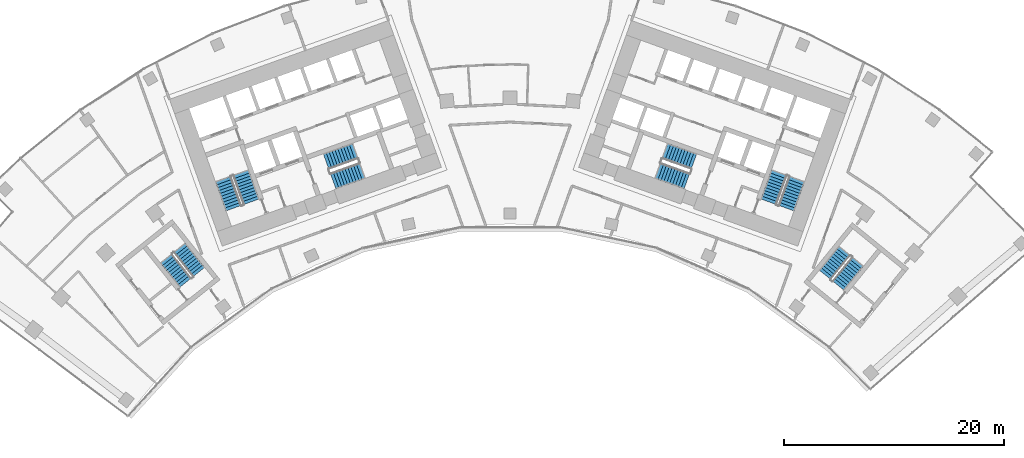
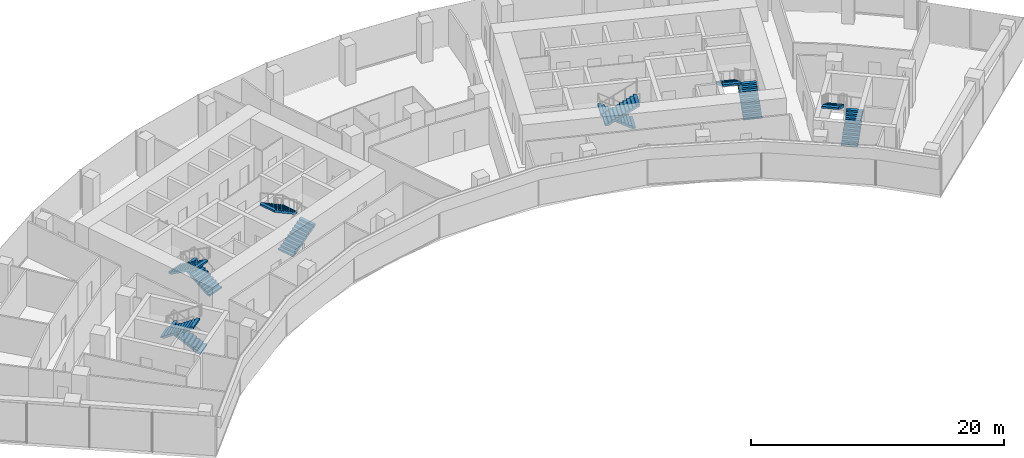
# One storey, part 18 of 20: 12 stair flights, 6 elements without a shape of their own.
"""IFC4 building model written with IfcOpenShell, lengths in metres."""

from ifc_helpers import new_model, si_unit, direction, frame, origin, place, context, subcontext, project, spatial, polyline, outline, extrude, material, type_object, element, aggregate, save


model = new_model("IFC4")

# Units and contexts
model_context = context("Model", 3, precision=1e-05, world=origin(), true_north=direction((0.0, 1.0)))
body_context = subcontext(model_context, "Body", "Model", "MODEL_VIEW")
ifc_project = project(units=[si_unit("LENGTHUNIT", "METRE"), si_unit("AREAUNIT", "SQUARE_METRE"), si_unit("VOLUMEUNIT", "CUBIC_METRE"), si_unit("PLANEANGLEUNIT", "RADIAN"), si_unit("MASSUNIT", "GRAM", prefix="KILO")], contexts=[model_context])

# Site, building, storey
site_placement = place(None, origin())
site = spatial("IfcSite", under=ifc_project, at=site_placement, CompositionType="ELEMENT")
building_placement = place(site_placement, origin())
building = spatial("IfcBuilding", under=site, at=building_placement, Name="Stone Belt Terrace Tower", CompositionType="ELEMENT")
storey_placement = place(building_placement, frame((0.0, 0.0, 174.39990234375)))
storey = spatial("IfcBuildingStorey", under=building, at=storey_placement, Name="L42", CompositionType="ELEMENT", Elevation=174.39990234375)

# Stair, stair flights
ifc_material = material(Name="Concrete B40", Category="concrete")
stair_type = type_object("IfcStairType", Name="Exit stair 1500", PredefinedType="HALF_TURN_STAIR", material=ifc_material)
stair_1_placement = place(storey_placement, origin())
stair_1 = element("IfcStair", 1, at=stair_1_placement, inside=storey, type_object=stair_type, Name="L42 Exit stair 1 core A", PredefinedType="HALF_TURN_STAIR")
stair_flight_type = type_object("IfcStairFlightType", Name="Stair flight 1500", PredefinedType="STRAIGHT", material=ifc_material)
stair_flight_1_placement = place(storey_placement, frame((-23.55322265625, 45.51318359375, 0.0), z_axis=(0.0, 0.0, 1.0), x_axis=(-0.338624396177, 0.940921632398, 0.0)))
stair_flight_1 = element("IfcStairFlight", 2, at=stair_flight_1_placement, type_object=stair_flight_type, Name="ST1A flight 1", NumberOfRisers=11, NumberOfTreads=10, PredefinedType="STRAIGHT", RiserHeight=0.172727273, TreadLength=0.28, context=body_context, shape_type="SweptSolid", body=[
    extrude(outline(polyline([(0.0, 0.0), (0.0, 0.172607421875), (0.280029296875, 0.172607421875), (0.280029296875, 0.345458984375), (0.56005859375, 0.345458984375), (0.56005859375, 0.51806640625), (0.840087890625, 0.51806640625), (0.840087890625, 0.69091796875), (1.1201171875, 0.69091796875), (1.1201171875, 0.863525390625), (1.39990234375, 0.863525390625), (1.39990234375, 1.036376953125), (1.679931640625, 1.036376953125), (1.679931640625, 1.208984375), (1.9599609375, 1.208984375), (1.9599609375, 1.3818359375), (2.239990234375, 1.3818359375), (2.239990234375, 1.554443359375), (2.52001953125, 1.554443359375), (2.52001953125, 1.727294921875), (2.800048828125, 1.727294921875), (2.800048828125, 1.89990234375), (2.800048828125, 1.551025390625), (0.285400390625, 0.0), (0.0, 0.0)])), frame((0.0, 0.75, 0.0), z_axis=(0.0, -1.0, 0.0), x_axis=(1.0, 0.0, 0.0)), (0.0, 0.0, 1.0), 1.5),
])
stair_flight_2_placement = place(storey_placement, frame((-26.10107421875, 47.572021484375, 1.900146484375), z_axis=(0.0, 0.0, 1.0), x_axis=(0.338624396177, -0.940921632398, 0.0)))
stair_flight_2 = element("IfcStairFlight", 3, at=stair_flight_2_placement, type_object=stair_flight_type, Name="ST1A flight 2", NumberOfRisers=11, NumberOfTreads=10, PredefinedType="STRAIGHT", RiserHeight=0.172727273, TreadLength=0.28, context=body_context, shape_type="SweptSolid", body=[
    extrude(outline(polyline([(0.0, 0.0), (0.0, 0.172607421875), (0.280029296875, 0.172607421875), (0.280029296875, 0.345458984375), (0.56005859375, 0.345458984375), (0.56005859375, 0.51806640625), (0.840087890625, 0.51806640625), (0.840087890625, 0.69091796875), (1.1201171875, 0.69091796875), (1.1201171875, 0.863525390625), (1.39990234375, 0.863525390625), (1.39990234375, 1.036376953125), (1.679931640625, 1.036376953125), (1.679931640625, 1.208984375), (1.9599609375, 1.208984375), (1.9599609375, 1.3818359375), (2.239990234375, 1.3818359375), (2.239990234375, 1.554443359375), (2.52001953125, 1.554443359375), (2.52001953125, 1.727294921875), (2.800048828125, 1.727294921875), (2.800048828125, 1.89990234375), (2.800048828125, 1.551025390625), (0.285400390625, 0.0), (0.0, 0.0)])), frame((0.0, 0.75, 0.0), z_axis=(0.0, -1.0, 0.0), x_axis=(1.0, 0.0, 0.0)), (0.0, 0.0, 1.0), 1.5),
])
aggregate(stair_1, [stair_flight_1, stair_flight_2])

stair_2_placement = place(storey_placement, origin())
stair_2 = element("IfcStair", 4, at=stair_2_placement, inside=storey, type_object=stair_type, Name="L42 Exit stair 2 core A", PredefinedType="HALF_TURN_STAIR")
stair_flight_3_placement = place(storey_placement, frame((-16.101318359375, 47.39794921875, 0.0), z_axis=(0.0, 0.0, 1.0), x_axis=(0.940921632398, 0.338624396177, 0.0)))
stair_flight_3 = element("IfcStairFlight", 5, at=stair_flight_3_placement, type_object=stair_flight_type, Name="ST2A flight 1", NumberOfRisers=11, NumberOfTreads=10, PredefinedType="STRAIGHT", RiserHeight=0.172727273, TreadLength=0.28, context=body_context, shape_type="SweptSolid", body=[
    extrude(outline(polyline([(0.0, 0.0), (0.0, 0.172607421875), (0.280029296875, 0.172607421875), (0.280029296875, 0.345458984375), (0.56005859375, 0.345458984375), (0.56005859375, 0.51806640625), (0.840087890625, 0.51806640625), (0.840087890625, 0.69091796875), (1.1201171875, 0.69091796875), (1.1201171875, 0.863525390625), (1.39990234375, 0.863525390625), (1.39990234375, 1.036376953125), (1.679931640625, 1.036376953125), (1.679931640625, 1.208984375), (1.9599609375, 1.208984375), (1.9599609375, 1.3818359375), (2.239990234375, 1.3818359375), (2.239990234375, 1.554443359375), (2.52001953125, 1.554443359375), (2.52001953125, 1.727294921875), (2.800048828125, 1.727294921875), (2.800048828125, 1.89990234375), (2.800048828125, 1.551025390625), (0.285400390625, 0.0), (0.0, 0.0)])), frame((0.0, 0.75, 0.0), z_axis=(0.0, -1.0, 0.0), x_axis=(1.0, 0.0, 0.0)), (0.0, 0.0, 1.0), 1.5),
])
stair_flight_4_placement = place(storey_placement, frame((-14.110107421875, 50.1337890625, 1.900146484375), z_axis=(0.0, 0.0, 1.0), x_axis=(-0.940921632398, -0.338624396177, 0.0)))
stair_flight_4 = element("IfcStairFlight", 6, at=stair_flight_4_placement, type_object=stair_flight_type, Name="ST2A flight 2", NumberOfRisers=11, NumberOfTreads=10, PredefinedType="STRAIGHT", RiserHeight=0.172727273, TreadLength=0.28, context=body_context, shape_type="SweptSolid", body=[
    extrude(outline(polyline([(0.0, 0.0), (0.0, 0.172607421875), (0.280029296875, 0.172607421875), (0.280029296875, 0.345458984375), (0.56005859375, 0.345458984375), (0.56005859375, 0.51806640625), (0.840087890625, 0.51806640625), (0.840087890625, 0.69091796875), (1.1201171875, 0.69091796875), (1.1201171875, 0.863525390625), (1.39990234375, 0.863525390625), (1.39990234375, 1.036376953125), (1.679931640625, 1.036376953125), (1.679931640625, 1.208984375), (1.9599609375, 1.208984375), (1.9599609375, 1.3818359375), (2.239990234375, 1.3818359375), (2.239990234375, 1.554443359375), (2.52001953125, 1.554443359375), (2.52001953125, 1.727294921875), (2.800048828125, 1.727294921875), (2.800048828125, 1.89990234375), (2.800048828125, 1.551025390625), (0.285400390625, 0.0), (0.0, 0.0)])), frame((0.0, 0.75, 0.0), z_axis=(0.0, -1.0, 0.0), x_axis=(1.0, 0.0, 0.0)), (0.0, 0.0, 1.0), 1.5),
])
aggregate(stair_2, [stair_flight_3, stair_flight_4])

stair_3_placement = place(storey_placement, origin())
stair_3 = element("IfcStair", 7, at=stair_3_placement, inside=storey, type_object=stair_type, Name="L42 Exit stair 1 core B", PredefinedType="HALF_TURN_STAIR")
stair_flight_5_placement = place(storey_placement, frame((25.15283203125, 44.9375, 0.0), z_axis=(0.0, 0.0, 1.0), x_axis=(0.338624396177, 0.940921632398, 0.0)))
stair_flight_5 = element("IfcStairFlight", 8, at=stair_flight_5_placement, type_object=stair_flight_type, Name="ST1B flight 1", NumberOfRisers=11, NumberOfTreads=10, PredefinedType="STRAIGHT", RiserHeight=0.172727273, TreadLength=0.28, context=body_context, shape_type="SweptSolid", body=[
    extrude(outline(polyline([(0.0, 0.0), (0.0, 0.172607421875), (0.280029296875, 0.172607421875), (0.280029296875, 0.345458984375), (0.56005859375, 0.345458984375), (0.56005859375, 0.51806640625), (0.840087890625, 0.51806640625), (0.840087890625, 0.69091796875), (1.1201171875, 0.69091796875), (1.1201171875, 0.863525390625), (1.39990234375, 0.863525390625), (1.39990234375, 1.036376953125), (1.679931640625, 1.036376953125), (1.679931640625, 1.208984375), (1.9599609375, 1.208984375), (1.9599609375, 1.3818359375), (2.239990234375, 1.3818359375), (2.239990234375, 1.554443359375), (2.52001953125, 1.554443359375), (2.52001953125, 1.727294921875), (2.800048828125, 1.727294921875), (2.800048828125, 1.89990234375), (2.800048828125, 1.551025390625), (0.285400390625, 0.0), (0.0, 0.0)])), frame((0.0, 0.75, 0.0), z_axis=(0.0, -1.0, 0.0), x_axis=(1.0, 0.0, 0.0)), (0.0, 0.0, 1.0), 1.5),
])
stair_flight_6_placement = place(storey_placement, frame((24.50146484375, 48.147705078125, 1.900146484375), z_axis=(0.0, 0.0, 1.0), x_axis=(-0.338624396177, -0.940921632398, 0.0)))
stair_flight_6 = element("IfcStairFlight", 9, at=stair_flight_6_placement, type_object=stair_flight_type, Name="ST1B flight 2", NumberOfRisers=11, NumberOfTreads=10, PredefinedType="STRAIGHT", RiserHeight=0.172727273, TreadLength=0.28, context=body_context, shape_type="SweptSolid", body=[
    extrude(outline(polyline([(0.0, 0.0), (0.0, 0.172607421875), (0.280029296875, 0.172607421875), (0.280029296875, 0.345458984375), (0.56005859375, 0.345458984375), (0.56005859375, 0.51806640625), (0.840087890625, 0.51806640625), (0.840087890625, 0.69091796875), (1.1201171875, 0.69091796875), (1.1201171875, 0.863525390625), (1.39990234375, 0.863525390625), (1.39990234375, 1.036376953125), (1.679931640625, 1.036376953125), (1.679931640625, 1.208984375), (1.9599609375, 1.208984375), (1.9599609375, 1.3818359375), (2.239990234375, 1.3818359375), (2.239990234375, 1.554443359375), (2.52001953125, 1.554443359375), (2.52001953125, 1.727294921875), (2.800048828125, 1.727294921875), (2.800048828125, 1.89990234375), (2.800048828125, 1.551025390625), (0.285400390625, 0.0), (0.0, 0.0)])), frame((0.0, 0.75, 0.0), z_axis=(0.0, -1.0, 0.0), x_axis=(1.0, 0.0, 0.0)), (0.0, 0.0, 1.0), 1.5),
])
aggregate(stair_3, [stair_flight_5, stair_flight_6])

stair_4_placement = place(storey_placement, origin())
stair_4 = element("IfcStair", 10, at=stair_4_placement, inside=storey, type_object=stair_type, Name="L42 Exit stair 2 core B", PredefinedType="HALF_TURN_STAIR")
stair_flight_7_placement = place(storey_placement, frame((16.74462890625, 49.185546875, 0.0), z_axis=(0.0, 0.0, 1.0), x_axis=(-0.940921632398, 0.338624396177, 0.0)))
stair_flight_7 = element("IfcStairFlight", 11, at=stair_flight_7_placement, type_object=stair_flight_type, Name="ST2B flight 1", NumberOfRisers=11, NumberOfTreads=10, PredefinedType="STRAIGHT", RiserHeight=0.172727273, TreadLength=0.28, context=body_context, shape_type="SweptSolid", body=[
    extrude(outline(polyline([(0.0, 0.0), (0.0, 0.172607421875), (0.280029296875, 0.172607421875), (0.280029296875, 0.345458984375), (0.56005859375, 0.345458984375), (0.56005859375, 0.51806640625), (0.840087890625, 0.51806640625), (0.840087890625, 0.69091796875), (1.1201171875, 0.69091796875), (1.1201171875, 0.863525390625), (1.39990234375, 0.863525390625), (1.39990234375, 1.036376953125), (1.679931640625, 1.036376953125), (1.679931640625, 1.208984375), (1.9599609375, 1.208984375), (1.9599609375, 1.3818359375), (2.239990234375, 1.3818359375), (2.239990234375, 1.554443359375), (2.52001953125, 1.554443359375), (2.52001953125, 1.727294921875), (2.800048828125, 1.727294921875), (2.800048828125, 1.89990234375), (2.800048828125, 1.551025390625), (0.285400390625, 0.0), (0.0, 0.0)])), frame((0.0, 0.75, 0.0), z_axis=(0.0, -1.0, 0.0), x_axis=(1.0, 0.0, 0.0)), (0.0, 0.0, 1.0), 1.5),
])
stair_flight_8_placement = place(storey_placement, frame((13.466796875, 48.345947265625, 1.900146484375), z_axis=(0.0, 0.0, 1.0), x_axis=(0.940921632398, -0.338624396177, 0.0)))
stair_flight_8 = element("IfcStairFlight", 12, at=stair_flight_8_placement, type_object=stair_flight_type, Name="ST2B flight 2", NumberOfRisers=11, NumberOfTreads=10, PredefinedType="STRAIGHT", RiserHeight=0.172727273, TreadLength=0.28, context=body_context, shape_type="SweptSolid", body=[
    extrude(outline(polyline([(0.0, 0.0), (0.0, 0.172607421875), (0.280029296875, 0.172607421875), (0.280029296875, 0.345458984375), (0.56005859375, 0.345458984375), (0.56005859375, 0.51806640625), (0.840087890625, 0.51806640625), (0.840087890625, 0.69091796875), (1.1201171875, 0.69091796875), (1.1201171875, 0.863525390625), (1.39990234375, 0.863525390625), (1.39990234375, 1.036376953125), (1.679931640625, 1.036376953125), (1.679931640625, 1.208984375), (1.9599609375, 1.208984375), (1.9599609375, 1.3818359375), (2.239990234375, 1.3818359375), (2.239990234375, 1.554443359375), (2.52001953125, 1.554443359375), (2.52001953125, 1.727294921875), (2.800048828125, 1.727294921875), (2.800048828125, 1.89990234375), (2.800048828125, 1.551025390625), (0.285400390625, 0.0), (0.0, 0.0)])), frame((0.0, 0.75, 0.0), z_axis=(0.0, -1.0, 0.0), x_axis=(1.0, 0.0, 0.0)), (0.0, 0.0, 1.0), 1.5),
])
aggregate(stair_4, [stair_flight_7, stair_flight_8])

stair_5_placement = place(storey_placement, origin())
stair_5 = element("IfcStair", 13, at=stair_5_placement, inside=storey, type_object=stair_type, Name="L42 Exit stair 3A", PredefinedType="HALF_TURN_STAIR")
stair_flight_9_placement = place(storey_placement, frame((-28.325439453125, 39.1240234375, 0.0), z_axis=(0.0, 0.0, 1.0), x_axis=(-0.623121363691, 0.782125160132, 0.0)))
stair_flight_9 = element("IfcStairFlight", 14, at=stair_flight_9_placement, type_object=stair_flight_type, Name="ST3A flight 1", NumberOfRisers=11, NumberOfTreads=10, PredefinedType="STRAIGHT", RiserHeight=0.172727273, TreadLength=0.28, context=body_context, shape_type="SweptSolid", body=[
    extrude(outline(polyline([(0.0, 0.0), (0.0, 0.172607421875), (0.280029296875, 0.172607421875), (0.280029296875, 0.345458984375), (0.56005859375, 0.345458984375), (0.56005859375, 0.51806640625), (0.840087890625, 0.51806640625), (0.840087890625, 0.69091796875), (1.1201171875, 0.69091796875), (1.1201171875, 0.863525390625), (1.39990234375, 0.863525390625), (1.39990234375, 1.036376953125), (1.679931640625, 1.036376953125), (1.679931640625, 1.208984375), (1.9599609375, 1.208984375), (1.9599609375, 1.3818359375), (2.239990234375, 1.3818359375), (2.239990234375, 1.554443359375), (2.52001953125, 1.554443359375), (2.52001953125, 1.727294921875), (2.800048828125, 1.727294921875), (2.800048828125, 1.89990234375), (2.800048828125, 1.551025390625), (0.285400390625, 0.0), (0.0, 0.0)])), frame((0.0, 0.675048828125, 0.0), z_axis=(0.0, -1.0, 0.0), x_axis=(1.0, 0.0, 0.0)), (0.0, 0.0, 1.0), 1.35009765625),
])
stair_flight_10_placement = place(storey_placement, frame((-31.282470703125, 40.34814453125, 1.900146484375), z_axis=(0.0, 0.0, 1.0), x_axis=(0.623121363691, -0.782125160132, 0.0)))
stair_flight_10 = element("IfcStairFlight", 15, at=stair_flight_10_placement, type_object=stair_flight_type, Name="ST3A flight 2", NumberOfRisers=11, NumberOfTreads=10, PredefinedType="STRAIGHT", RiserHeight=0.172727273, TreadLength=0.28, context=body_context, shape_type="SweptSolid", body=[
    extrude(outline(polyline([(0.0, 0.0), (0.0, 0.172607421875), (0.280029296875, 0.172607421875), (0.280029296875, 0.345458984375), (0.56005859375, 0.345458984375), (0.56005859375, 0.51806640625), (0.840087890625, 0.51806640625), (0.840087890625, 0.69091796875), (1.1201171875, 0.69091796875), (1.1201171875, 0.863525390625), (1.39990234375, 0.863525390625), (1.39990234375, 1.036376953125), (1.679931640625, 1.036376953125), (1.679931640625, 1.208984375), (1.9599609375, 1.208984375), (1.9599609375, 1.3818359375), (2.239990234375, 1.3818359375), (2.239990234375, 1.554443359375), (2.52001953125, 1.554443359375), (2.52001953125, 1.727294921875), (2.800048828125, 1.727294921875), (2.800048828125, 1.89990234375), (2.800048828125, 1.551025390625), (0.285400390625, 0.0), (0.0, 0.0)])), frame((0.0, 0.675048828125, 0.0), z_axis=(0.0, -1.0, 0.0), x_axis=(1.0, 0.0, 0.0)), (0.0, 0.0, 1.0), 1.35009765625),
])
aggregate(stair_5, [stair_flight_9, stair_flight_10])

stair_6_placement = place(storey_placement, origin())
stair_6 = element("IfcStair", 16, at=stair_6_placement, inside=storey, type_object=stair_type, Name="L42 Exit stair 3B", PredefinedType="HALF_TURN_STAIR")
stair_flight_11_placement = place(storey_placement, frame((29.88330078125, 37.887939453125, 0.0), z_axis=(0.0, 0.0, 1.0), x_axis=(0.630205749599, 0.776428176441, 0.0)))
stair_flight_11 = element("IfcStairFlight", 17, at=stair_flight_11_placement, type_object=stair_flight_type, Name="ST3B flight 1", NumberOfRisers=11, NumberOfTreads=10, PredefinedType="STRAIGHT", RiserHeight=0.172727273, TreadLength=0.28, context=body_context, shape_type="SweptSolid", body=[
    extrude(outline(polyline([(0.0, 0.0), (0.0, 0.172607421875), (0.280029296875, 0.172607421875), (0.280029296875, 0.345458984375), (0.56005859375, 0.345458984375), (0.56005859375, 0.51806640625), (0.840087890625, 0.51806640625), (0.840087890625, 0.69091796875), (1.1201171875, 0.69091796875), (1.1201171875, 0.863525390625), (1.39990234375, 0.863525390625), (1.39990234375, 1.036376953125), (1.679931640625, 1.036376953125), (1.679931640625, 1.208984375), (1.9599609375, 1.208984375), (1.9599609375, 1.3818359375), (2.239990234375, 1.3818359375), (2.239990234375, 1.554443359375), (2.52001953125, 1.554443359375), (2.52001953125, 1.727294921875), (2.800048828125, 1.727294921875), (2.800048828125, 1.89990234375), (2.800048828125, 1.551025390625), (0.285400390625, 0.0), (0.0, 0.0)])), frame((0.0, 0.675048828125, 0.0), z_axis=(0.0, -1.0, 0.0), x_axis=(1.0, 0.0, 0.0)), (0.0, 0.0, 1.0), 1.35009765625),
])
stair_flight_12_placement = place(storey_placement, frame((30.4443359375, 41.038818359375, 1.900146484375), z_axis=(0.0, 0.0, 1.0), x_axis=(-0.630205749599, -0.776428176441, 0.0)))
stair_flight_12 = element("IfcStairFlight", 18, at=stair_flight_12_placement, type_object=stair_flight_type, Name="ST3B flight 2", NumberOfRisers=11, NumberOfTreads=10, PredefinedType="STRAIGHT", RiserHeight=0.172727273, TreadLength=0.28, context=body_context, shape_type="SweptSolid", body=[
    extrude(outline(polyline([(0.0, 0.0), (0.0, 0.172607421875), (0.280029296875, 0.172607421875), (0.280029296875, 0.345458984375), (0.56005859375, 0.345458984375), (0.56005859375, 0.51806640625), (0.840087890625, 0.51806640625), (0.840087890625, 0.69091796875), (1.1201171875, 0.69091796875), (1.1201171875, 0.863525390625), (1.39990234375, 0.863525390625), (1.39990234375, 1.036376953125), (1.679931640625, 1.036376953125), (1.679931640625, 1.208984375), (1.9599609375, 1.208984375), (1.9599609375, 1.3818359375), (2.239990234375, 1.3818359375), (2.239990234375, 1.554443359375), (2.52001953125, 1.554443359375), (2.52001953125, 1.727294921875), (2.800048828125, 1.727294921875), (2.800048828125, 1.89990234375), (2.800048828125, 1.551025390625), (0.285400390625, 0.0), (0.0, 0.0)])), frame((0.0, 0.675048828125, 0.0), z_axis=(0.0, -1.0, 0.0), x_axis=(1.0, 0.0, 0.0)), (0.0, 0.0, 1.0), 1.35009765625),
])
aggregate(stair_6, [stair_flight_11, stair_flight_12])

save(model, "model.ifc")
